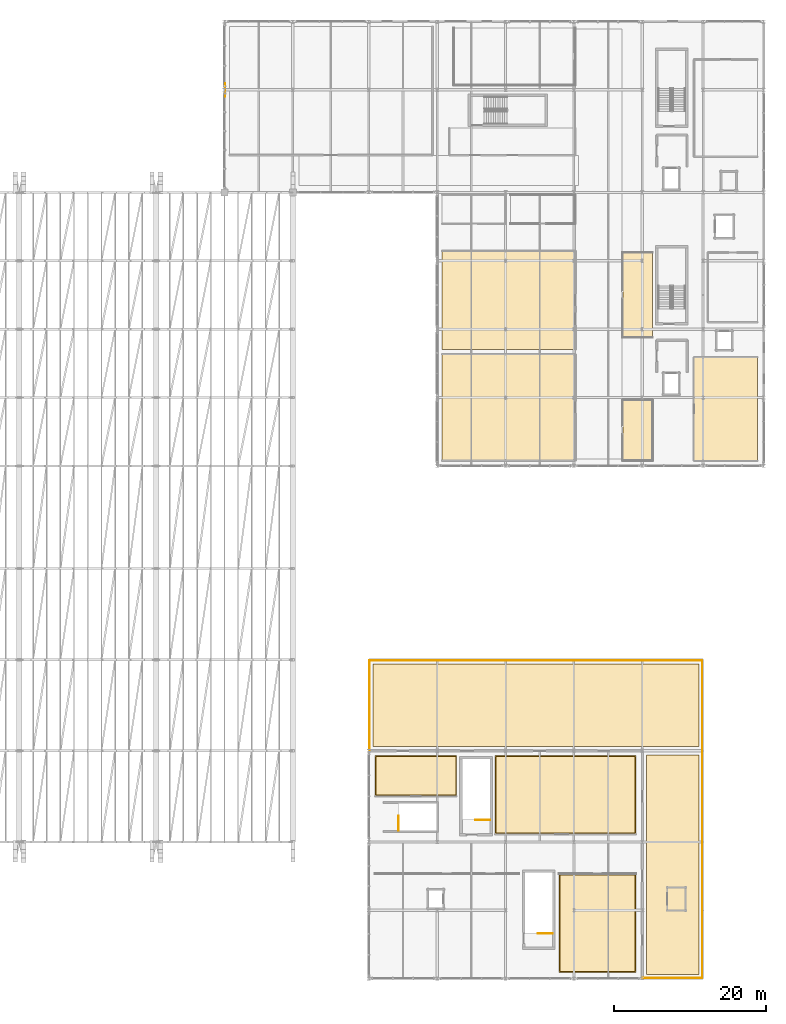
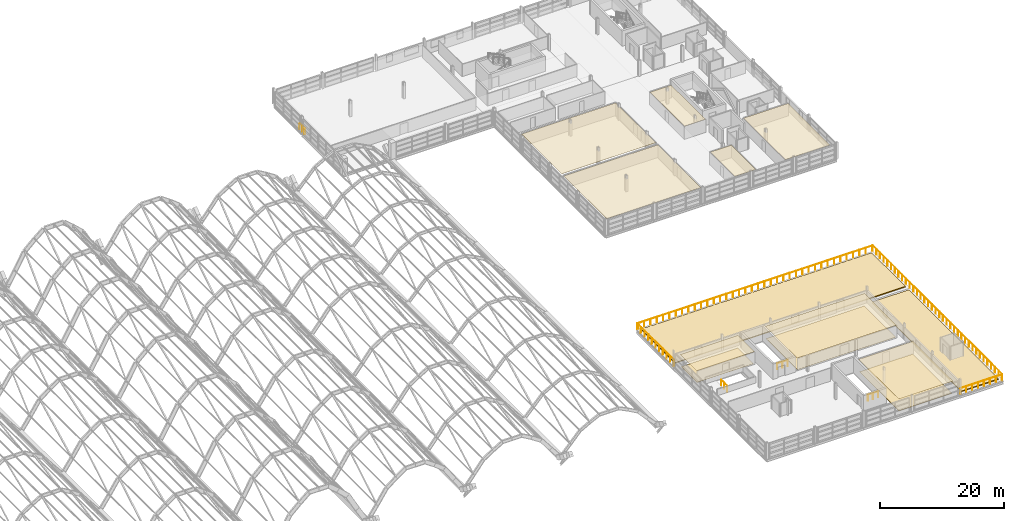
# One storey, part 81 of 86: 13 coverings, 8 railings.
"""IFC4 building model written with IfcOpenShell, lengths in metres."""

from ifc_helpers import new_model, si_unit, direction, frame, origin, origin_2d, place, context, subcontext, project, spatial, polyline, circle, outline, extrude, material, layer, layer_set, type_object, element, save


model = new_model("IFC4")

# Units and contexts
model_context = context("Model", 3, precision=1e-05, world=origin(), true_north=direction((0.0, 1.0)))
body_context = subcontext(model_context, "Body", "Model", "MODEL_VIEW")
ifc_project = project(units=[si_unit("LENGTHUNIT", "METRE"), si_unit("AREAUNIT", "SQUARE_METRE"), si_unit("VOLUMEUNIT", "CUBIC_METRE"), si_unit("PLANEANGLEUNIT", "RADIAN"), si_unit("MASSUNIT", "GRAM", prefix="KILO")], contexts=[model_context])

# Site, building, storey
site_placement = place(None, origin())
site = spatial("IfcSite", under=ifc_project, at=site_placement, CompositionType="ELEMENT")
building_placement = place(site_placement, origin())
building = spatial("IfcBuilding", under=site, at=building_placement, Name="Chuanluo Vaults Station", CompositionType="ELEMENT")
storey_placement = place(building_placement, frame((0.0, 0.0, 14.39990234375)))
storey = spatial("IfcBuildingStorey", under=building, at=storey_placement, Name="L03", CompositionType="ELEMENT", Elevation=14.39990234375)

# Coverings
ifc_material_1 = material(Name="Acoustic mineral-fibre tile")
ifc_layer_1 = layer(ifc_material_1, 0.02490234375)
ifc_layer_set_1 = layer_set([ifc_layer_1], Name="Acoustic mineral-fibre tile")
covering_type_1 = type_object("IfcCoveringType", Name="COV-CEIL-TILE", PredefinedType="CEILING", material=ifc_layer_set_1)
covering_1_placement = place(storey_placement, frame((0.0, 0.0, 2.400146484375)))
element("IfcCovering", 1, at=covering_1_placement, inside=storey, type_object=covering_type_1, Name="L03-01 suspended acoustic ceiling", PredefinedType="CEILING", context=body_context, shape_type="SweptSolid", body=[
    extrude(outline(polyline([(152.639892578125, 19.0400390625), (171.159912109375, 19.0400390625), (171.159912109375, 29.360107421875), (152.639892578125, 29.360107421875), (152.639892578125, 19.0400390625)])), origin(), (0.0, 0.0, 1.0), 0.02490234375),
])
covering_2_placement = place(storey_placement, frame((0.0, 0.0, 2.400146484375)))
element("IfcCovering", 2, at=covering_2_placement, inside=storey, type_object=covering_type_1, Name="L03-01C suspended acoustic ceiling", PredefinedType="CEILING", context=body_context, shape_type="SweptSolid", body=[
    extrude(outline(polyline([(136.840087890625, 24.0400390625), (147.56005859375, 24.0400390625), (147.56005859375, 29.360107421875), (136.840087890625, 29.360107421875), (136.840087890625, 24.0400390625)])), origin(), (0.0, 0.0, 1.0), 0.02490234375),
])
covering_3_placement = place(storey_placement, frame((0.0, 0.0, 2.43017578125)))
element("IfcCovering", 3, at=covering_3_placement, inside=storey, type_object=covering_type_1, Name="L03-03 suspended acoustic ceiling", PredefinedType="CEILING", context=body_context, shape_type="SweptSolid", body=[
    extrude(outline(polyline([(161.0400390625, 0.840087890625), (171.159912109375, 0.840087890625), (171.159912109375, 13.760009765625), (161.0400390625, 13.760009765625), (161.0400390625, 0.840087890625)])), origin(), (0.0, 0.0, 1.0), 0.02490234375),
])
covering_4_placement = place(storey_placement, frame((0.0, 0.0, 2.425048828125)))
element("IfcCovering", 4, at=covering_4_placement, inside=storey, type_object=covering_type_1, Name="L03-09 suspended acoustic ceiling", PredefinedType="CEILING", context=body_context, shape_type="SweptSolid", body=[
    extrude(outline(polyline([(145.639892578125, 68.239990234375), (163.159912109375, 68.239990234375), (163.159912109375, 82.159912109375), (145.639892578125, 82.159912109375), (145.639892578125, 68.239990234375)])), origin(), (0.0, 0.0, 1.0), 0.025146484375),
])
covering_5_placement = place(storey_placement, frame((0.0, 0.0, 2.425048828125)))
element("IfcCovering", 5, at=covering_5_placement, inside=storey, type_object=covering_type_1, Name="L03-10 suspended acoustic ceiling", PredefinedType="CEILING", context=body_context, shape_type="SweptSolid", body=[
    extrude(outline(polyline([(145.639892578125, 82.840087890625), (163.159912109375, 82.840087890625), (163.159912109375, 95.760009765625), (145.639892578125, 95.760009765625), (145.639892578125, 82.840087890625)])), origin(), (0.0, 0.0, 1.0), 0.025146484375),
])
covering_6_placement = place(storey_placement, frame((0.0, 0.0, 2.425048828125)))
element("IfcCovering", 6, at=covering_6_placement, inside=storey, type_object=covering_type_1, Name="L03-14 suspended acoustic ceiling", PredefinedType="CEILING", context=body_context, shape_type="SweptSolid", body=[
    extrude(outline(polyline([(169.43994140625, 68.239990234375), (173.360107421875, 68.239990234375), (173.360107421875, 76.159912109375), (169.43994140625, 76.159912109375), (169.43994140625, 68.239990234375)])), origin(), (0.0, 0.0, 1.0), 0.025146484375),
])
covering_7_placement = place(storey_placement, frame((0.0, 0.0, 2.455078125)))
element("IfcCovering", 7, at=covering_7_placement, inside=storey, type_object=covering_type_1, Name="L03-14B suspended acoustic ceiling", PredefinedType="CEILING", context=body_context, shape_type="SweptSolid", body=[
    extrude(outline(polyline([(169.43994140625, 84.43994140625), (173.360107421875, 84.43994140625), (173.360107421875, 95.56005859375), (169.43994140625, 95.56005859375), (169.43994140625, 84.43994140625)])), origin(), (0.0, 0.0, 1.0), 0.02490234375),
])
covering_8_placement = place(storey_placement, frame((0.0, 0.0, 2.405029296875)))
element("IfcCovering", 8, at=covering_8_placement, inside=storey, type_object=covering_type_1, Name="L03-20 suspended acoustic ceiling", PredefinedType="CEILING", context=body_context, shape_type="SweptSolid", body=[
    extrude(outline(polyline([(178.840087890625, 68.239990234375), (187.159912109375, 68.239990234375), (187.159912109375, 81.760009765625), (178.840087890625, 81.760009765625), (178.840087890625, 68.239990234375)])), origin(), (0.0, 0.0, 1.0), 0.025146484375),
])
ifc_material_2 = material(Name="Granite stone flooring", Category="masonry")
ifc_layer_2 = layer(ifc_material_2, 0.034912109375)
ifc_layer_set_2 = layer_set([ifc_layer_2], Name="Granite stone flooring")
covering_type_2 = type_object("IfcCoveringType", Name="COV-FLOR-GRAN", PredefinedType="FLOORING", material=ifc_layer_set_2)
covering_9_placement = place(storey_placement, origin())
element("IfcCovering", 9, at=covering_9_placement, inside=storey, type_object=covering_type_2, Name="L03-01 granite floor finish", PredefinedType="FLOORING", context=body_context, shape_type="SweptSolid", body=[
    extrude(outline(polyline([(152.75, 19.14990234375), (171.050048828125, 19.14990234375), (171.050048828125, 29.25), (152.75, 29.25), (152.75, 19.14990234375)])), origin(), (0.0, 0.0, 1.0), 0.03515625),
])
covering_10_placement = place(storey_placement, origin())
element("IfcCovering", 10, at=covering_10_placement, inside=storey, type_object=covering_type_2, Name="L03-01C granite floor finish", PredefinedType="FLOORING", context=body_context, shape_type="SweptSolid", body=[
    extrude(outline(polyline([(136.949951171875, 24.14990234375), (147.449951171875, 24.14990234375), (147.449951171875, 29.25), (136.949951171875, 29.25), (136.949951171875, 24.14990234375)])), origin(), (0.0, 0.0, 1.0), 0.03515625),
])
covering_11_placement = place(storey_placement, origin())
element("IfcCovering", 11, at=covering_11_placement, inside=storey, type_object=covering_type_2, Name="L03-03 granite floor finish", PredefinedType="FLOORING", context=body_context, shape_type="SweptSolid", body=[
    extrude(outline(polyline([(161.14990234375, 0.949951171875), (171.050048828125, 0.949951171875), (171.050048828125, 13.64990234375), (161.14990234375, 13.64990234375), (161.14990234375, 0.949951171875)])), origin(), (0.0, 0.0, 1.0), 0.03515625),
])
ifc_material_3 = material(Name="Planted roof garden substrate")
ifc_layer_3 = layer(ifc_material_3, 0.179931640625)
ifc_layer_set_3 = layer_set([ifc_layer_3], Name="Planted roof garden substrate")
covering_type_3 = type_object("IfcCoveringType", Name="COV-ROOF-GRN", PredefinedType="ROOFING", material=ifc_layer_set_3)
covering_12_placement = place(storey_placement, origin())
element("IfcCovering", 12, at=covering_12_placement, inside=storey, type_object=covering_type_3, Name="Planted roof garden substrate TER:L03:N", PredefinedType="ROOFING", context=body_context, shape_type="SweptSolid", body=[
    extrude(outline(polyline([(136.550048828125, 30.550048828125), (179.449951171875, 30.550048828125), (179.449951171875, 41.449951171875), (136.550048828125, 41.449951171875), (136.550048828125, 30.550048828125)])), origin(), (0.0, 0.0, 1.0), 0.18017578125),
])
covering_13_placement = place(storey_placement, origin())
element("IfcCovering", 13, at=covering_13_placement, inside=storey, type_object=covering_type_3, Name="Planted roof garden substrate TER:L03:E", PredefinedType="ROOFING", context=body_context, shape_type="SweptSolid", body=[
    extrude(outline(polyline([(172.550048828125, 0.550048828125), (179.449951171875, 0.550048828125), (179.449951171875, 29.449951171875), (172.550048828125, 29.449951171875), (172.550048828125, 0.550048828125)])), origin(), (0.0, 0.0, 1.0), 0.18017578125),
])

# Railings
ifc_material_4 = material(Name="Tempered laminated balustrade glass", Category="glass")
railing_type = type_object("IfcRailingType", Name="RLG-GUARD-1200", PredefinedType="BALUSTRADE", material=ifc_material_4)
railing_1_placement = place(storey_placement, frame((117.10009765625, 116.14990234375, 0.0)))
element("IfcRailing", 14, at=railing_1_placement, inside=storey, type_object=railing_type, Name="Planted terrace perimeter balustrade OPSW-L03-C117", PredefinedType="BALUSTRADE", context=body_context, shape_type="SweptSolid", body=[
    extrude(circle(Radius=0.02392578125, at=origin_2d()), frame((0.0, 0.0, 1.17578125), z_axis=(0.0, 1.0, 0.0), x_axis=(-1.0, 0.0, 0.0)), (0.0, 0.0, 1.0), 1.7001953125),
    extrude(circle(Radius=0.02099609375, at=origin_2d()), origin(), (0.0, 0.0, 1.0), 1.15185546875),
    extrude(circle(Radius=0.02099609375, at=origin_2d()), frame((0.0, 0.85009765625, 0.0)), (0.0, 0.0, 1.0), 1.15185546875),
    extrude(circle(Radius=0.02099609375, at=origin_2d()), frame((0.0, 1.7001953125, 0.0)), (0.0, 0.0, 1.0), 1.15185546875),
])
railing_2_placement = place(storey_placement, frame((136.10009765625, 30.10009765625, 0.0)))
element("IfcRailing", 15, at=railing_2_placement, inside=storey, type_object=railing_type, Name="Planted terrace perimeter balustrade TER-RET-L03-W", PredefinedType="BALUSTRADE", context=body_context, shape_type="SweptSolid", body=[
    extrude(circle(Radius=0.02392578125, at=origin_2d()), frame((0.0, 0.0, 1.17578125), z_axis=(0.0, 1.0, 0.0), x_axis=(-1.0, 0.0, 0.0)), (0.0, 0.0, 1.0), 11.7998046875),
    extrude(circle(Radius=0.02099609375, at=origin_2d()), origin(), (0.0, 0.0, 1.0), 1.15185546875),
    extrude(circle(Radius=0.02099609375, at=origin_2d()), frame((0.0, 1.179931640625, 0.0)), (0.0, 0.0, 1.0), 1.15185546875),
    extrude(circle(Radius=0.02099609375, at=origin_2d()), frame((0.0, 2.35986328125, 0.0)), (0.0, 0.0, 1.0), 1.15185546875),
    extrude(circle(Radius=0.02099609375, at=origin_2d()), frame((0.0, 3.5400390625, 0.0)), (0.0, 0.0, 1.0), 1.15185546875),
    extrude(circle(Radius=0.02099609375, at=origin_2d()), frame((0.0, 4.719970703125, 0.0)), (0.0, 0.0, 1.0), 1.15185546875),
    extrude(circle(Radius=0.02099609375, at=origin_2d()), frame((0.0, 5.89990234375, 0.0)), (0.0, 0.0, 1.0), 1.15185546875),
    extrude(circle(Radius=0.02099609375, at=origin_2d()), frame((0.0, 7.079833984375, 0.0)), (0.0, 0.0, 1.0), 1.15185546875),
    extrude(circle(Radius=0.02099609375, at=origin_2d()), frame((0.0, 8.259765625, 0.0)), (0.0, 0.0, 1.0), 1.15185546875),
    extrude(circle(Radius=0.02099609375, at=origin_2d()), frame((0.0, 9.43994140625, 0.0)), (0.0, 0.0, 1.0), 1.15185546875),
    extrude(circle(Radius=0.02099609375, at=origin_2d()), frame((0.0, 10.619873046875, 0.0)), (0.0, 0.0, 1.0), 1.15185546875),
    extrude(circle(Radius=0.02099609375, at=origin_2d()), frame((0.0, 11.7998046875, 0.0)), (0.0, 0.0, 1.0), 1.15185546875),
])
railing_3_placement = place(storey_placement, frame((136.199951171875, 41.89990234375, 0.0)))
element("IfcRailing", 16, at=railing_3_placement, inside=storey, type_object=railing_type, Name="Planted terrace perimeter balustrade TER-RET-L03-N", PredefinedType="BALUSTRADE", context=body_context, shape_type="SweptSolid", body=[
    extrude(circle(Radius=0.02392578125, at=origin_2d()), frame((0.0, 0.0, 1.17578125), z_axis=(1.0, 0.0, 0.0), x_axis=(0.0, 1.0, 0.0)), (0.0, 0.0, 1.0), 43.60009765625),
    extrude(circle(Radius=0.02099609375, at=origin_2d()), origin(), (0.0, 0.0, 1.0), 1.15185546875),
    extrude(circle(Radius=0.02099609375, at=origin_2d()), frame((1.178466796875, 0.0, 0.0)), (0.0, 0.0, 1.0), 1.15185546875),
    extrude(circle(Radius=0.02099609375, at=origin_2d()), frame((2.356689453125, 0.0, 0.0)), (0.0, 0.0, 1.0), 1.15185546875),
    extrude(circle(Radius=0.02099609375, at=origin_2d()), frame((3.53515625, 0.0, 0.0)), (0.0, 0.0, 1.0), 1.15185546875),
    extrude(circle(Radius=0.02099609375, at=origin_2d()), frame((4.713623046875, 0.0, 0.0)), (0.0, 0.0, 1.0), 1.15185546875),
    extrude(circle(Radius=0.02099609375, at=origin_2d()), frame((5.891845703125, 0.0, 0.0)), (0.0, 0.0, 1.0), 1.15185546875),
    extrude(circle(Radius=0.02099609375, at=origin_2d()), frame((7.0703125, 0.0, 0.0)), (0.0, 0.0, 1.0), 1.15185546875),
    extrude(circle(Radius=0.02099609375, at=origin_2d()), frame((8.248779296875, 0.0, 0.0)), (0.0, 0.0, 1.0), 1.15185546875),
    extrude(circle(Radius=0.02099609375, at=origin_2d()), frame((9.427001953125, 0.0, 0.0)), (0.0, 0.0, 1.0), 1.15185546875),
    extrude(circle(Radius=0.02099609375, at=origin_2d()), frame((10.60546875, 0.0, 0.0)), (0.0, 0.0, 1.0), 1.15185546875),
    extrude(circle(Radius=0.02099609375, at=origin_2d()), frame((11.78369140625, 0.0, 0.0)), (0.0, 0.0, 1.0), 1.15185546875),
    extrude(circle(Radius=0.02099609375, at=origin_2d()), frame((12.962158203125, 0.0, 0.0)), (0.0, 0.0, 1.0), 1.15185546875),
    extrude(circle(Radius=0.02099609375, at=origin_2d()), frame((14.140625, 0.0, 0.0)), (0.0, 0.0, 1.0), 1.15185546875),
    extrude(circle(Radius=0.02099609375, at=origin_2d()), frame((15.31884765625, 0.0, 0.0)), (0.0, 0.0, 1.0), 1.15185546875),
    extrude(circle(Radius=0.02099609375, at=origin_2d()), frame((16.497314453125, 0.0, 0.0)), (0.0, 0.0, 1.0), 1.15185546875),
    extrude(circle(Radius=0.02099609375, at=origin_2d()), frame((17.67578125, 0.0, 0.0)), (0.0, 0.0, 1.0), 1.15185546875),
    extrude(circle(Radius=0.02099609375, at=origin_2d()), frame((18.85400390625, 0.0, 0.0)), (0.0, 0.0, 1.0), 1.15185546875),
    extrude(circle(Radius=0.02099609375, at=origin_2d()), frame((20.032470703125, 0.0, 0.0)), (0.0, 0.0, 1.0), 1.15185546875),
    extrude(circle(Radius=0.02099609375, at=origin_2d()), frame((21.2109375, 0.0, 0.0)), (0.0, 0.0, 1.0), 1.15185546875),
    extrude(circle(Radius=0.02099609375, at=origin_2d()), frame((22.38916015625, 0.0, 0.0)), (0.0, 0.0, 1.0), 1.15185546875),
    extrude(circle(Radius=0.02099609375, at=origin_2d()), frame((23.567626953125, 0.0, 0.0)), (0.0, 0.0, 1.0), 1.15185546875),
    extrude(circle(Radius=0.02099609375, at=origin_2d()), frame((24.74609375, 0.0, 0.0)), (0.0, 0.0, 1.0), 1.15185546875),
    extrude(circle(Radius=0.02099609375, at=origin_2d()), frame((25.92431640625, 0.0, 0.0)), (0.0, 0.0, 1.0), 1.15185546875),
    extrude(circle(Radius=0.02099609375, at=origin_2d()), frame((27.102783203125, 0.0, 0.0)), (0.0, 0.0, 1.0), 1.15185546875),
    extrude(circle(Radius=0.02099609375, at=origin_2d()), frame((28.28125, 0.0, 0.0)), (0.0, 0.0, 1.0), 1.15185546875),
    extrude(circle(Radius=0.02099609375, at=origin_2d()), frame((29.45947265625, 0.0, 0.0)), (0.0, 0.0, 1.0), 1.15185546875),
    extrude(circle(Radius=0.02099609375, at=origin_2d()), frame((30.637939453125, 0.0, 0.0)), (0.0, 0.0, 1.0), 1.15185546875),
    extrude(circle(Radius=0.02099609375, at=origin_2d()), frame((31.81640625, 0.0, 0.0)), (0.0, 0.0, 1.0), 1.15185546875),
    extrude(circle(Radius=0.02099609375, at=origin_2d()), frame((32.99462890625, 0.0, 0.0)), (0.0, 0.0, 1.0), 1.15185546875),
    extrude(circle(Radius=0.02099609375, at=origin_2d()), frame((34.173095703125, 0.0, 0.0)), (0.0, 0.0, 1.0), 1.15185546875),
    extrude(circle(Radius=0.02099609375, at=origin_2d()), frame((35.351318359375, 0.0, 0.0)), (0.0, 0.0, 1.0), 1.15185546875),
    extrude(circle(Radius=0.02099609375, at=origin_2d()), frame((36.52978515625, 0.0, 0.0)), (0.0, 0.0, 1.0), 1.15185546875),
    extrude(circle(Radius=0.02099609375, at=origin_2d()), frame((37.708251953125, 0.0, 0.0)), (0.0, 0.0, 1.0), 1.15185546875),
    extrude(circle(Radius=0.02099609375, at=origin_2d()), frame((38.886474609375, 0.0, 0.0)), (0.0, 0.0, 1.0), 1.15185546875),
    extrude(circle(Radius=0.02099609375, at=origin_2d()), frame((40.06494140625, 0.0, 0.0)), (0.0, 0.0, 1.0), 1.15185546875),
    extrude(circle(Radius=0.02099609375, at=origin_2d()), frame((41.243408203125, 0.0, 0.0)), (0.0, 0.0, 1.0), 1.15185546875),
    extrude(circle(Radius=0.02099609375, at=origin_2d()), frame((42.421630859375, 0.0, 0.0)), (0.0, 0.0, 1.0), 1.15185546875),
    extrude(circle(Radius=0.02099609375, at=origin_2d()), frame((43.60009765625, 0.0, 0.0)), (0.0, 0.0, 1.0), 1.15185546875),
])
railing_4_placement = place(storey_placement, frame((179.89990234375, 41.89990234375, 0.0)))
element("IfcRailing", 17, at=railing_4_placement, inside=storey, type_object=railing_type, Name="Planted terrace perimeter balustrade TER-RET-L03-E", PredefinedType="BALUSTRADE", context=body_context, shape_type="SweptSolid", body=[
    extrude(circle(Radius=0.02392578125, at=origin_2d()), frame((0.0, 0.0, 1.17578125), z_axis=(0.0, -1.0, 0.0), x_axis=(1.0, 0.0, 0.0)), (0.0, 0.0, 1.0), 41.7998046875),
    extrude(circle(Radius=0.02099609375, at=origin_2d()), origin(), (0.0, 0.0, 1.0), 1.15185546875),
    extrude(circle(Radius=0.02099609375, at=origin_2d()), frame((0.0, -1.1943359375, 0.0)), (0.0, 0.0, 1.0), 1.15185546875),
    extrude(circle(Radius=0.02099609375, at=origin_2d()), frame((0.0, -2.388671875, 0.0)), (0.0, 0.0, 1.0), 1.15185546875),
    extrude(circle(Radius=0.02099609375, at=origin_2d()), frame((0.0, -3.582763671875, 0.0)), (0.0, 0.0, 1.0), 1.15185546875),
    extrude(circle(Radius=0.02099609375, at=origin_2d()), frame((0.0, -4.777099609375, 0.0)), (0.0, 0.0, 1.0), 1.15185546875),
    extrude(circle(Radius=0.02099609375, at=origin_2d()), frame((0.0, -5.971435546875, 0.0)), (0.0, 0.0, 1.0), 1.15185546875),
    extrude(circle(Radius=0.02099609375, at=origin_2d()), frame((0.0, -7.165771484375, 0.0)), (0.0, 0.0, 1.0), 1.15185546875),
    extrude(circle(Radius=0.02099609375, at=origin_2d()), frame((0.0, -8.35986328125, 0.0)), (0.0, 0.0, 1.0), 1.15185546875),
    extrude(circle(Radius=0.02099609375, at=origin_2d()), frame((0.0, -9.55419921875, 0.0)), (0.0, 0.0, 1.0), 1.15185546875),
    extrude(circle(Radius=0.02099609375, at=origin_2d()), frame((0.0, -10.74853515625, 0.0)), (0.0, 0.0, 1.0), 1.15185546875),
    extrude(circle(Radius=0.02099609375, at=origin_2d()), frame((0.0, -11.94287109375, 0.0)), (0.0, 0.0, 1.0), 1.15185546875),
    extrude(circle(Radius=0.02099609375, at=origin_2d()), frame((0.0, -13.136962890625, 0.0)), (0.0, 0.0, 1.0), 1.15185546875),
    extrude(circle(Radius=0.02099609375, at=origin_2d()), frame((0.0, -14.331298828125, 0.0)), (0.0, 0.0, 1.0), 1.15185546875),
    extrude(circle(Radius=0.02099609375, at=origin_2d()), frame((0.0, -15.525634765625, 0.0)), (0.0, 0.0, 1.0), 1.15185546875),
    extrude(circle(Radius=0.02099609375, at=origin_2d()), frame((0.0, -16.719970703125, 0.0)), (0.0, 0.0, 1.0), 1.15185546875),
    extrude(circle(Radius=0.02099609375, at=origin_2d()), frame((0.0, -17.914306640625, 0.0)), (0.0, 0.0, 1.0), 1.15185546875),
    extrude(circle(Radius=0.02099609375, at=origin_2d()), frame((0.0, -19.1083984375, 0.0)), (0.0, 0.0, 1.0), 1.15185546875),
    extrude(circle(Radius=0.02099609375, at=origin_2d()), frame((0.0, -20.302734375, 0.0)), (0.0, 0.0, 1.0), 1.15185546875),
    extrude(circle(Radius=0.02099609375, at=origin_2d()), frame((0.0, -21.4970703125, 0.0)), (0.0, 0.0, 1.0), 1.15185546875),
    extrude(circle(Radius=0.02099609375, at=origin_2d()), frame((0.0, -22.69140625, 0.0)), (0.0, 0.0, 1.0), 1.15185546875),
    extrude(circle(Radius=0.02099609375, at=origin_2d()), frame((0.0, -23.885498046875, 0.0)), (0.0, 0.0, 1.0), 1.15185546875),
    extrude(circle(Radius=0.02099609375, at=origin_2d()), frame((0.0, -25.079833984375, 0.0)), (0.0, 0.0, 1.0), 1.15185546875),
    extrude(circle(Radius=0.02099609375, at=origin_2d()), frame((0.0, -26.274169921875, 0.0)), (0.0, 0.0, 1.0), 1.15185546875),
    extrude(circle(Radius=0.02099609375, at=origin_2d()), frame((0.0, -27.468505859375, 0.0)), (0.0, 0.0, 1.0), 1.15185546875),
    extrude(circle(Radius=0.02099609375, at=origin_2d()), frame((0.0, -28.662841796875, 0.0)), (0.0, 0.0, 1.0), 1.15185546875),
    extrude(circle(Radius=0.02099609375, at=origin_2d()), frame((0.0, -29.85693359375, 0.0)), (0.0, 0.0, 1.0), 1.15185546875),
    extrude(circle(Radius=0.02099609375, at=origin_2d()), frame((0.0, -31.05126953125, 0.0)), (0.0, 0.0, 1.0), 1.15185546875),
    extrude(circle(Radius=0.02099609375, at=origin_2d()), frame((0.0, -32.24560546875, 0.0)), (0.0, 0.0, 1.0), 1.15185546875),
    extrude(circle(Radius=0.02099609375, at=origin_2d()), frame((0.0, -33.43994140625, 0.0)), (0.0, 0.0, 1.0), 1.15185546875),
    extrude(circle(Radius=0.02099609375, at=origin_2d()), frame((0.0, -34.634033203125, 0.0)), (0.0, 0.0, 1.0), 1.15185546875),
    extrude(circle(Radius=0.02099609375, at=origin_2d()), frame((0.0, -35.828369140625, 0.0)), (0.0, 0.0, 1.0), 1.15185546875),
    extrude(circle(Radius=0.02099609375, at=origin_2d()), frame((0.0, -37.022705078125, 0.0)), (0.0, 0.0, 1.0), 1.15185546875),
    extrude(circle(Radius=0.02099609375, at=origin_2d()), frame((0.0, -38.217041015625, 0.0)), (0.0, 0.0, 1.0), 1.15185546875),
    extrude(circle(Radius=0.02099609375, at=origin_2d()), frame((0.0, -39.4111328125, 0.0)), (0.0, 0.0, 1.0), 1.15185546875),
    extrude(circle(Radius=0.02099609375, at=origin_2d()), frame((0.0, -40.60546875, 0.0)), (0.0, 0.0, 1.0), 1.15185546875),
    extrude(circle(Radius=0.02099609375, at=origin_2d()), frame((0.0, -41.7998046875, 0.0)), (0.0, 0.0, 1.0), 1.15185546875),
])
railing_5_placement = place(storey_placement, frame((179.800048828125, 0.10009765625, 0.0)))
element("IfcRailing", 18, at=railing_5_placement, inside=storey, type_object=railing_type, Name="Planted terrace perimeter balustrade TER-RET-L03-S", PredefinedType="BALUSTRADE", context=body_context, shape_type="SweptSolid", body=[
    extrude(circle(Radius=0.02392578125, at=origin_2d()), frame((0.0, 0.0, 1.17578125), z_axis=(-1.0, 0.0, 0.0), x_axis=(0.0, -1.0, 0.0)), (0.0, 0.0, 1.0), 7.699951171875),
    extrude(circle(Radius=0.02099609375, at=origin_2d()), origin(), (0.0, 0.0, 1.0), 1.15185546875),
    extrude(circle(Radius=0.02099609375, at=origin_2d()), frame((-1.10009765625, 0.0, 0.0)), (0.0, 0.0, 1.0), 1.15185546875),
    extrude(circle(Radius=0.02099609375, at=origin_2d()), frame((-2.199951171875, 0.0, 0.0)), (0.0, 0.0, 1.0), 1.15185546875),
    extrude(circle(Radius=0.02099609375, at=origin_2d()), frame((-3.300048828125, 0.0, 0.0)), (0.0, 0.0, 1.0), 1.15185546875),
    extrude(circle(Radius=0.02099609375, at=origin_2d()), frame((-4.39990234375, 0.0, 0.0)), (0.0, 0.0, 1.0), 1.15185546875),
    extrude(circle(Radius=0.02099609375, at=origin_2d()), frame((-5.5, 0.0, 0.0)), (0.0, 0.0, 1.0), 1.15185546875),
    extrude(circle(Radius=0.02099609375, at=origin_2d()), frame((-6.599853515625, 0.0, 0.0)), (0.0, 0.0, 1.0), 1.15185546875),
    extrude(circle(Radius=0.02099609375, at=origin_2d()), frame((-7.699951171875, 0.0, 0.0)), (0.0, 0.0, 1.0), 1.15185546875),
])
for number, where, name in (
    (19, (151.9375, 20.887451171875, 0.0), "L03 ST-04 top well guard 1"),
    (20, (160.1875, 5.949951171875, 0.0), "L03 ST-05 top well guard 1"),
):
    element("IfcRailing", number, at=place(storey_placement, frame(where)), inside=storey, type_object=railing_type, Name=name, PredefinedType="BALUSTRADE", context=body_context, shape_type="SweptSolid", body=[
        extrude(circle(Radius=0.02392578125, at=origin_2d()), frame((0.0, 0.0, 1.17578125), z_axis=(-1.0, 0.0, 0.0), x_axis=(0.0, -1.0, 0.0)), (0.0, 0.0, 1.0), 1.93505859375),
        extrude(circle(Radius=0.02099609375, at=origin_2d()), origin(), (0.0, 0.0, 1.0), 1.15185546875),
        extrude(circle(Radius=0.02099609375, at=origin_2d()), frame((-0.967529296875, 0.0, 0.0)), (0.0, 0.0, 1.0), 1.15185546875),
        extrude(circle(Radius=0.02099609375, at=origin_2d()), frame((-1.93505859375, 0.0, 0.0)), (0.0, 0.0, 1.0), 1.15185546875),
    ])
railing_6_placement = place(storey_placement, frame((139.887451171875, 19.5, 0.0)))
element("IfcRailing", 21, at=railing_6_placement, inside=storey, type_object=railing_type, Name="L03 ST-28 top well guard 1", PredefinedType="BALUSTRADE", context=body_context, shape_type="SweptSolid", body=[
    extrude(circle(Radius=0.02392578125, at=origin_2d()), frame((0.0, 0.0, 1.17578125), z_axis=(0.0, 1.0, 0.0), x_axis=(-1.0, 0.0, 0.0)), (0.0, 0.0, 1.0), 1.93505859375),
    extrude(circle(Radius=0.02099609375, at=origin_2d()), origin(), (0.0, 0.0, 1.0), 1.15185546875),
    extrude(circle(Radius=0.02099609375, at=origin_2d()), frame((0.0, 0.967529296875, 0.0)), (0.0, 0.0, 1.0), 1.15185546875),
    extrude(circle(Radius=0.02099609375, at=origin_2d()), frame((0.0, 1.93505859375, 0.0)), (0.0, 0.0, 1.0), 1.15185546875),
])

save(model, "model.ifc")
